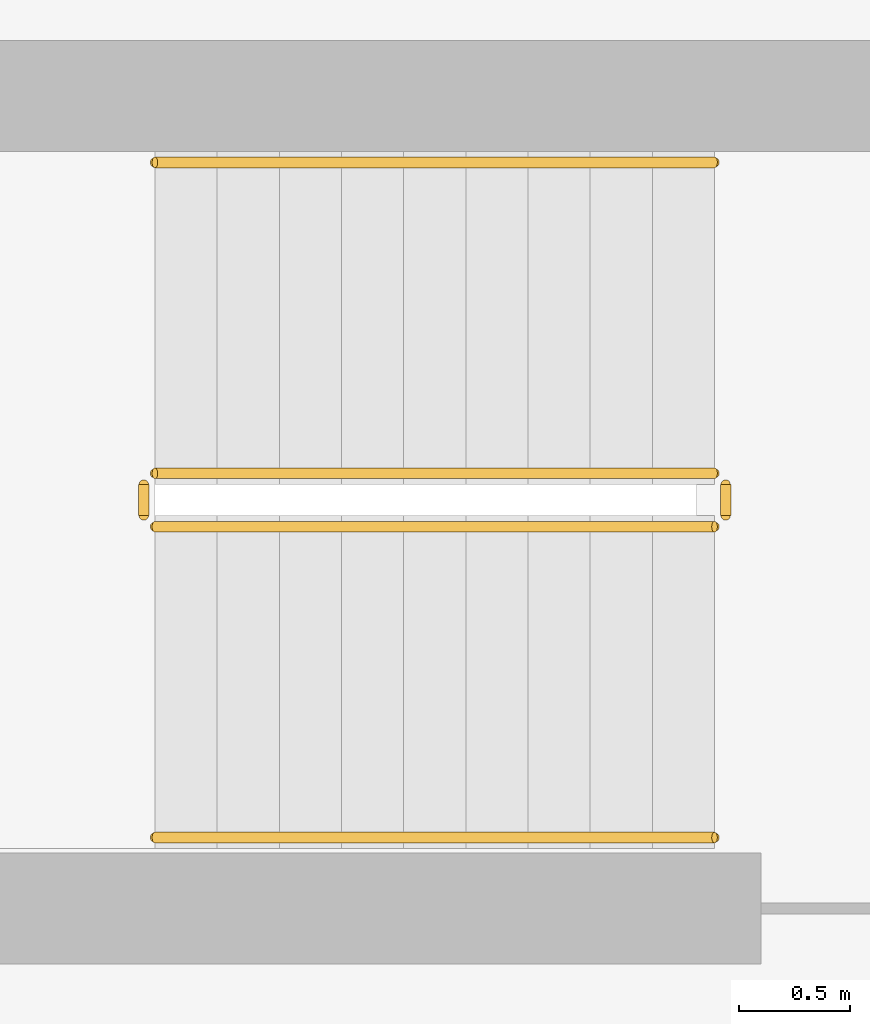
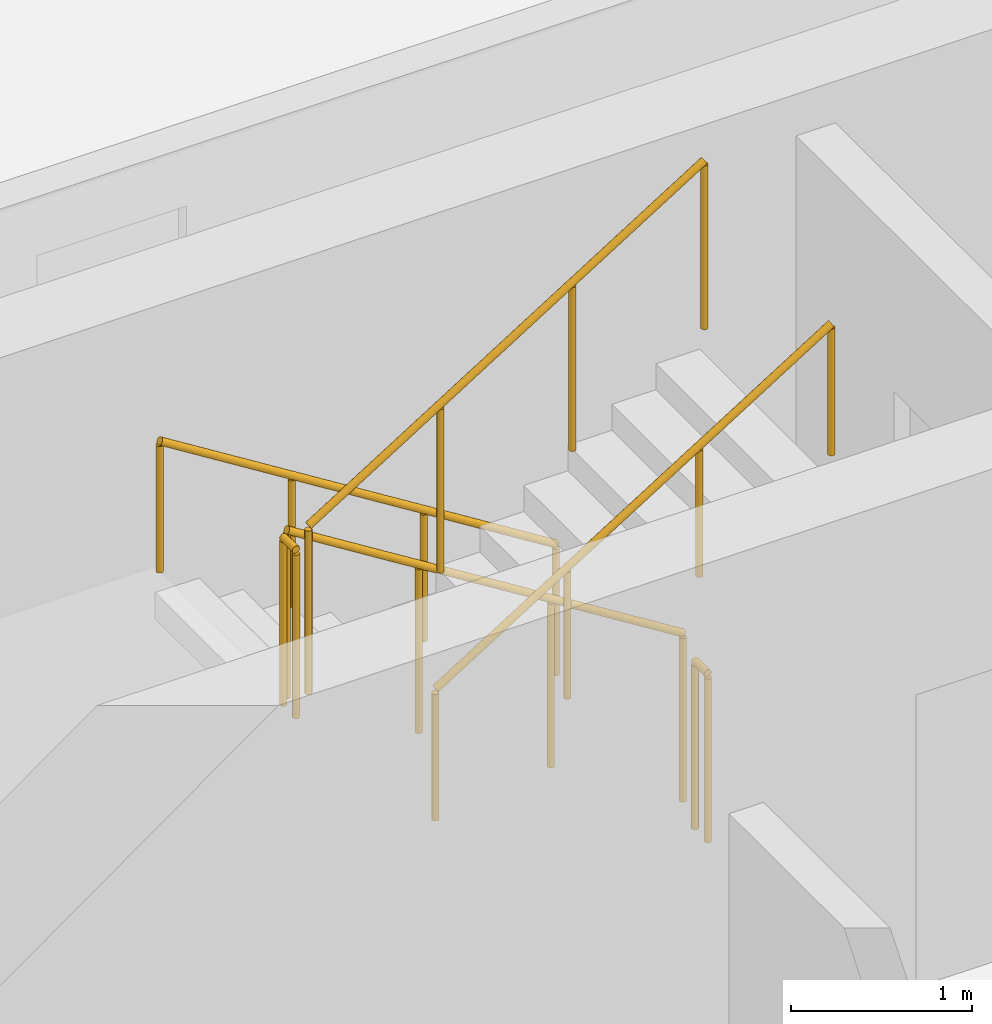
# One storey, part 20 of 22: 6 railings.
"""IFC4 building model written with IfcOpenShell, lengths in metres."""

from ifc_helpers import new_model, si_unit, derived_unit, direction, frame, origin, origin_2d, place, context, subcontext, project, spatial, circle, extrude, material, type_object, element, save


model = new_model("IFC4")

# Units and contexts
model_context = context("Model", 3, precision=1e-05, world=origin(), true_north=direction((0.0, 1.0)))
body_context = subcontext(model_context, "Body", "Model", "MODEL_VIEW")
ifc_project = project(units=[si_unit("LENGTHUNIT", "METRE"), si_unit("AREAUNIT", "SQUARE_METRE"), si_unit("VOLUMEUNIT", "CUBIC_METRE"), si_unit("PLANEANGLEUNIT", "RADIAN"), si_unit("MASSUNIT", "GRAM", prefix="KILO"), derived_unit("THERMALTRANSMITTANCEUNIT", [(si_unit("POWERUNIT", "WATT"), 1), (si_unit("LENGTHUNIT", "METRE"), -2), (si_unit("THERMODYNAMICTEMPERATUREUNIT", "KELVIN"), -1)])], contexts=[model_context])

# Site, building, storey
site_placement = place(None, origin())
site = spatial("IfcSite", under=ifc_project, at=site_placement, CompositionType="ELEMENT")
building_placement = place(site_placement, origin())
building = spatial("IfcBuilding", under=site, at=building_placement, Name="Kivonza Crest Hotel", CompositionType="ELEMENT")
storey_placement = place(building_placement, frame((0.0, 0.0, 59.0)))
storey = spatial("IfcBuildingStorey", under=building, at=storey_placement, Name="L15", CompositionType="ELEMENT", Elevation=59.0)

# Railings
ifc_material_1 = material(Name="Brushed stainless steel handrail", Category="steel")
railing_type_1 = type_object("IfcRailingType", Name="RL-HAND-900", PredefinedType="HANDRAIL", material=ifc_material_1)
railing_1_placement = place(storey_placement, frame((12.239990234375, 36.110107421875, 0.175048828125)))
element("IfcRailing", 1, at=railing_1_placement, inside=storey, type_object=railing_type_1, Name="L15 ST-T1-N stair handrail 1", PredefinedType="HANDRAIL", context=body_context, shape_type="SweptSolid", body=[
    extrude(circle(Radius=0.02392578125, at=origin_2d()), frame((0.0, 0.0, 0.8759765625), z_axis=(-0.848007534815, 0.0, 0.529984170421), x_axis=(0.0, -1.0, 0.0)), (0.0, 0.0, 1.0), 2.9716796875),
    extrude(circle(Radius=0.02099609375, at=origin_2d()), origin(), (0.0, 0.0, 1.0), 0.851806640625),
    extrude(circle(Radius=0.02099609375, at=origin_2d()), frame((-0.840087890625, 0.0, 0.52490234375)), (0.0, 0.0, 1.0), 0.851806640625),
    extrude(circle(Radius=0.02099609375, at=origin_2d()), frame((-1.679931640625, 0.0, 1.050048828125)), (0.0, 0.0, 1.0), 0.851806640625),
    extrude(circle(Radius=0.02099609375, at=origin_2d()), frame((-2.52001953125, 0.0, 1.574951171875)), (0.0, 0.0, 1.0), 0.851806640625),
])
railing_2_placement = place(storey_placement, frame((9.719970703125, 33.070068359375, 1.925048828125)))
element("IfcRailing", 2, at=railing_2_placement, inside=storey, type_object=railing_type_1, Name="L15 ST-T1-N stair handrail 2", PredefinedType="HANDRAIL", context=body_context, shape_type="SweptSolid", body=[
    extrude(circle(Radius=0.02392578125, at=origin_2d()), frame((0.0, 0.0, 0.8759765625), z_axis=(0.848007534815, 0.0, 0.529984170421), x_axis=(0.0, 1.0, 0.0)), (0.0, 0.0, 1.0), 2.9716796875),
    extrude(circle(Radius=0.02099609375, at=origin_2d()), origin(), (0.0, 0.0, 1.0), 0.851806640625),
    extrude(circle(Radius=0.02099609375, at=origin_2d()), frame((0.840087890625, 0.0, 0.52490234375)), (0.0, 0.0, 1.0), 0.851806640625),
    extrude(circle(Radius=0.02099609375, at=origin_2d()), frame((1.679931640625, 0.0, 1.050048828125)), (0.0, 0.0, 1.0), 0.851806640625),
    extrude(circle(Radius=0.02099609375, at=origin_2d()), frame((2.52001953125, 0.0, 1.574951171875)), (0.0, 0.0, 1.0), 0.851806640625),
])
ifc_material_2 = material(Name="Painted steel balustrade", Category="steel")
railing_type_2 = type_object("IfcRailingType", Name="RL-STAIR-1150", PredefinedType="BALUSTRADE", material=ifc_material_2)
railing_3_placement = place(storey_placement, frame((12.239990234375, 34.7099609375, 0.175048828125)))
element("IfcRailing", 3, at=railing_3_placement, inside=storey, type_object=railing_type_2, Name="L15 ST-T1-N stair guard 1", PredefinedType="BALUSTRADE", context=body_context, shape_type="SweptSolid", body=[
    extrude(circle(Radius=0.02392578125, at=origin_2d()), frame((0.0, 0.0, 1.1259765625), z_axis=(-0.848007534815, 0.0, 0.529984170421), x_axis=(0.0, -1.0, 0.0)), (0.0, 0.0, 1.0), 2.9716796875),
    extrude(circle(Radius=0.02099609375, at=origin_2d()), origin(), (0.0, 0.0, 1.0), 1.101806640625),
    extrude(circle(Radius=0.02099609375, at=origin_2d()), frame((-0.840087890625, 0.0, 0.52490234375)), (0.0, 0.0, 1.0), 1.101806640625),
    extrude(circle(Radius=0.02099609375, at=origin_2d()), frame((-1.679931640625, 0.0, 1.050048828125)), (0.0, 0.0, 1.0), 1.101806640625),
    extrude(circle(Radius=0.02099609375, at=origin_2d()), frame((-2.52001953125, 0.0, 1.574951171875)), (0.0, 0.0, 1.0), 1.101806640625),
])
railing_4_placement = place(storey_placement, frame((9.669921875, 34.659912109375, 1.75)))
element("IfcRailing", 4, at=railing_4_placement, inside=storey, type_object=railing_type_2, Name="L15 ST-T1-N stair guard 2", PredefinedType="BALUSTRADE", context=body_context, shape_type="SweptSolid", body=[
    extrude(circle(Radius=0.02392578125, at=origin_2d()), frame((0.0, 0.0, 1.1259765625), z_axis=(0.0, -1.0, 0.0), x_axis=(1.0, 0.0, 0.0)), (0.0, 0.0, 1.0), 0.139892578125),
    extrude(circle(Radius=0.02099609375, at=origin_2d()), origin(), (0.0, 0.0, 1.0), 1.101806640625),
    extrude(circle(Radius=0.02099609375, at=origin_2d()), frame((0.0, -0.139892578125, 0.0)), (0.0, 0.0, 1.0), 1.101806640625),
])
railing_5_placement = place(storey_placement, frame((9.719970703125, 34.469970703125, 1.925048828125)))
element("IfcRailing", 5, at=railing_5_placement, inside=storey, type_object=railing_type_2, Name="L15 ST-T1-N stair guard 3", PredefinedType="BALUSTRADE", context=body_context, shape_type="SweptSolid", body=[
    extrude(circle(Radius=0.02392578125, at=origin_2d()), frame((0.0, 0.0, 1.1259765625), z_axis=(0.848007534815, 0.0, 0.529984170421), x_axis=(0.0, 1.0, 0.0)), (0.0, 0.0, 1.0), 2.9716796875),
    extrude(circle(Radius=0.02099609375, at=origin_2d()), origin(), (0.0, 0.0, 1.0), 1.101806640625),
    extrude(circle(Radius=0.02099609375, at=origin_2d()), frame((0.840087890625, 0.0, 0.52490234375)), (0.0, 0.0, 1.0), 1.101806640625),
    extrude(circle(Radius=0.02099609375, at=origin_2d()), frame((1.679931640625, 0.0, 1.050048828125)), (0.0, 0.0, 1.0), 1.101806640625),
    extrude(circle(Radius=0.02099609375, at=origin_2d()), frame((2.52001953125, 0.0, 1.574951171875)), (0.0, 0.0, 1.0), 1.101806640625),
])
railing_6_placement = place(storey_placement, frame((12.2900390625, 34.659912109375, 0.0)))
element("IfcRailing", 6, at=railing_6_placement, inside=storey, type_object=railing_type_2, Name="L15 ST-T1-N stair guard 4", PredefinedType="BALUSTRADE", context=body_context, shape_type="SweptSolid", body=[
    extrude(circle(Radius=0.02392578125, at=origin_2d()), frame((0.0, 0.0, 1.1259765625), z_axis=(0.0, -1.0, 0.0), x_axis=(1.0, 0.0, 0.0)), (0.0, 0.0, 1.0), 0.139892578125),
    extrude(circle(Radius=0.02099609375, at=origin_2d()), origin(), (0.0, 0.0, 1.0), 1.101806640625),
    extrude(circle(Radius=0.02099609375, at=origin_2d()), frame((0.0, -0.139892578125, 0.0)), (0.0, 0.0, 1.0), 1.101806640625),
])

save(model, "model.ifc")
